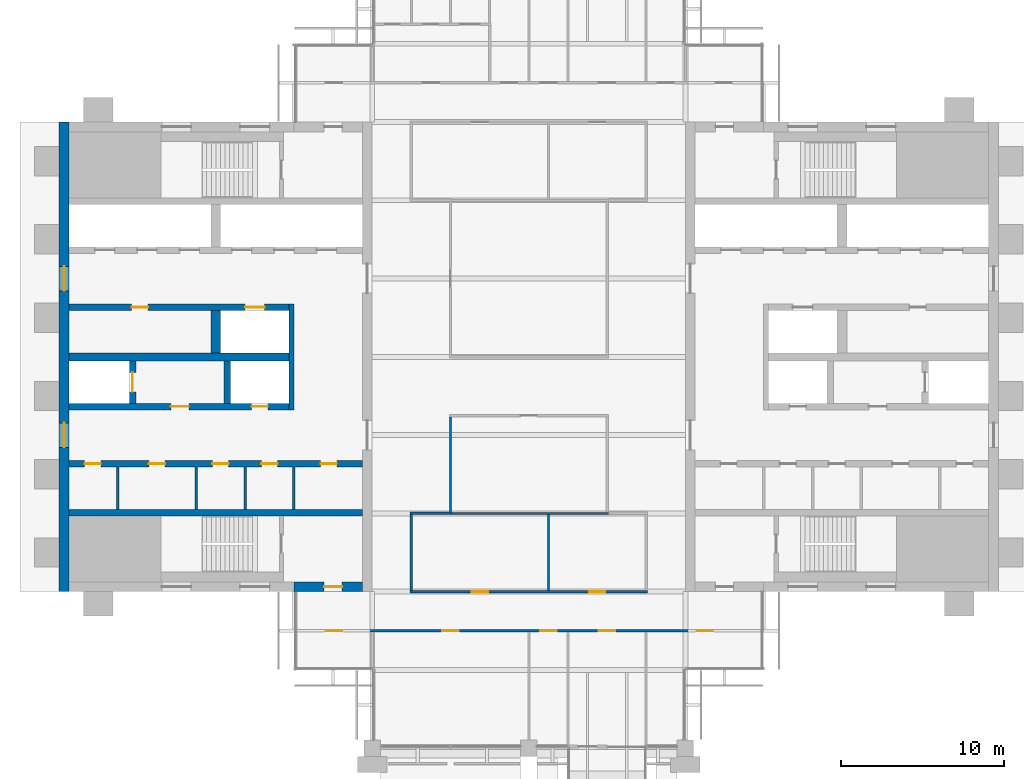
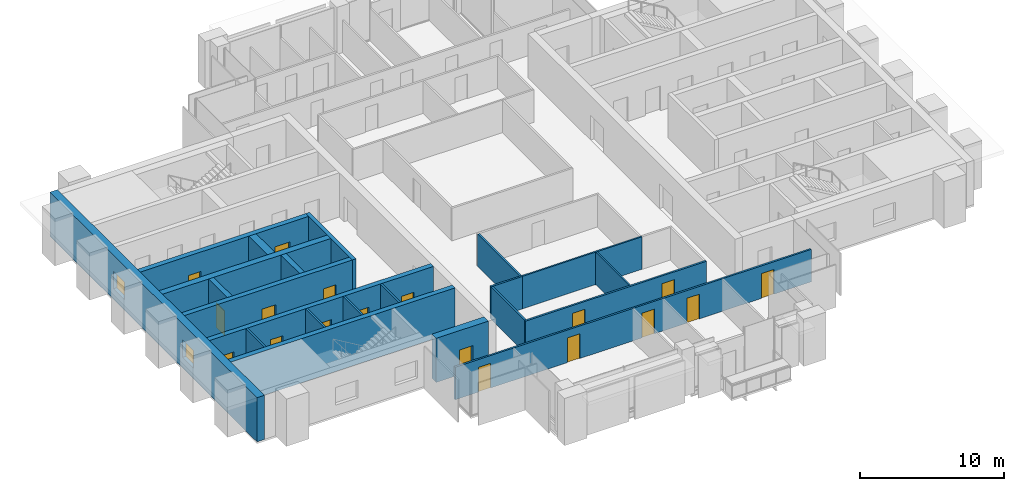
# One storey, part 8 of 13: 22 walls, 18 doors, 2 windows, 20 openings.
"""IFC4 building model written with IfcOpenShell, lengths in metres."""

from ifc_helpers import new_model, si_unit, direction, frame, frame_2d, origin, place, context, subcontext, project, spatial, rectangle, extrude, material, layer, layer_set, type_object, element, fill, save


model = new_model("IFC4")

# Units and contexts
model_context = context("Model", 3, precision=1e-05, world=origin(), true_north=direction((0.0, 1.0)))
body_context = subcontext(model_context, "Body", "Model", "MODEL_VIEW")
ifc_project = project(units=[si_unit("LENGTHUNIT", "METRE"), si_unit("AREAUNIT", "SQUARE_METRE"), si_unit("VOLUMEUNIT", "CUBIC_METRE"), si_unit("PLANEANGLEUNIT", "RADIAN"), si_unit("MASSUNIT", "GRAM", prefix="KILO")], contexts=[model_context])

# Site, building, storey
site_placement = place(None, origin())
site = spatial("IfcSite", under=ifc_project, at=site_placement, CompositionType="ELEMENT")
building_placement = place(site_placement, origin())
building = spatial("IfcBuilding", under=site, at=building_placement, Name="Baori Bourse Tower", CompositionType="ELEMENT")
storey_placement = place(building_placement, frame((0.0, 0.0, 350.300048828125)))
storey = spatial("IfcBuildingStorey", under=building, at=storey_placement, Name="L78", CompositionType="ELEMENT", Elevation=350.300048828125)

# Walls
ifc_material_1 = material(Name="Blockwork partition", Category="masonry")
ifc_layer_1 = layer(ifc_material_1, 0.14990234375)
ifc_layer_set_1 = layer_set([ifc_layer_1], Name="Core partition 150")
wall_type_1 = type_object("IfcWallType", Name="Core partition 150", PredefinedType="PARTITIONING", material=ifc_layer_set_1)
for number, where, z_axis, x_axis, name in (
    (1, (3.60009765625, 14.64990234375, 0.0), (0.0, 0.0, 1.0), (0.0, 1.0, 0.0), "Partition wall W09"),
    (2, (8.39990234375, 14.64990234375, 0.0), (0.0, 0.0, 1.0), (0.0, 1.0, 0.0), "Partition wall W10"),
    (3, (11.39990234375, 14.64990234375, 0.0), (0.0, 0.0, 1.0), (0.0, 1.0, 0.0), "Partition wall W11"),
    (4, (14.39990234375, 14.64990234375, 0.0), (0.0, 0.0, 1.0), (0.0, 1.0, 0.0), "Partition wall W12"),
):
    element("IfcWall", number, at=place(storey_placement, frame(where, z_axis=z_axis, x_axis=x_axis)), inside=storey, type_object=wall_type_1, Name=name, PredefinedType="PARTITIONING", context=body_context, shape_type="SweptSolid", body=[
        extrude(rectangle(XDim=2.60009765625, YDim=0.14990234375, at=frame_2d((1.300048828125, 0.0))), origin(), (0.0, 0.0, 1.0), 3.75),
    ])

# Wall, openings, windows
ifc_material_2 = material(Name="Concrete f'c 40 MPa", Category="concrete")
ifc_layer_2 = layer(ifc_material_2, 0.60009765625)
ifc_layer_set_2 = layer_set([ifc_layer_2], Name="Core wall 600 f'c 40")
wall_type_2 = type_object("IfcWallType", Name="Core wall 600 f'c 40", PredefinedType="SHEAR", material=ifc_layer_set_2)
wall_1_placement = place(storey_placement, frame((0.300048828125, 9.60009765625, 0.0), z_axis=(0.0, 0.0, 1.0), x_axis=(0.0, 1.0, 0.0)))
wall_1 = element("IfcWall", 5, at=wall_1_placement, inside=storey, type_object=wall_type_2, Name="Core wall W01", PredefinedType="SHEAR", context=body_context, shape_type="SweptSolid", body=[
    extrude(rectangle(XDim=28.7998046875, YDim=0.60009765625, at=frame_2d((14.39990234375, 0.0))), origin(), (0.0, 0.0, 1.0), 3.75),
])
opening_1_placement = place(wall_1_placement, frame((8.85009765625, 0.0, 0.89990234375)))
opening_1 = element("IfcOpeningElement", 6, at=opening_1_placement, cuts=wall_1, Name="Opening L78-KW101", PredefinedType="OPENING", context=body_context, shape_type="SweptSolid", body=[
    extrude(rectangle(XDim=1.5, YDim=1.5, at=frame_2d((0.75, 0.75))), frame((0.0, 0.31005859375, 0.0), z_axis=(0.0, -1.0, 0.0), x_axis=(1.0, 0.0, 0.0)), (0.0, 0.0, 1.0), 0.6201171875),
])
opening_2_placement = place(wall_1_placement, frame((18.449951171875, 0.0, 0.89990234375)))
opening_2 = element("IfcOpeningElement", 7, at=opening_2_placement, cuts=wall_1, Name="Opening L78-KW102", PredefinedType="OPENING", context=body_context, shape_type="SweptSolid", body=[
    extrude(rectangle(XDim=1.5, YDim=1.5, at=frame_2d((0.75, 0.75))), frame((0.0, 0.31005859375, 0.0), z_axis=(0.0, -1.0, 0.0), x_axis=(1.0, 0.0, 0.0)), (0.0, 0.0, 1.0), 0.6201171875),
])
ifc_material_3 = material(Name="Pale anodised aluminium", Category="aluminium")
window_type = type_object("IfcWindowType", Name="Lobby window 1500 x 1500", PartitioningType="SINGLE_PANEL", PredefinedType="WINDOW", material=ifc_material_3)
window_1_placement = place(opening_1_placement, origin())
window_1 = element("IfcWindow", 8, at=window_1_placement, inside=storey, type_object=window_type, Name="Outer wall window W L78 1", OverallHeight=1.5, OverallWidth=1.5, PartitioningType="SINGLE_PANEL", PredefinedType="WINDOW", context=body_context, shape_type="SweptSolid", body=[
    extrude(rectangle(XDim=1.5, YDim=1.5, at=frame_2d((0.75, 0.75))), frame((0.0, 0.030029296875, 0.0), z_axis=(0.0, -1.0, 0.0), x_axis=(1.0, 0.0, 0.0)), (0.0, 0.0, 1.0), 0.06005859375),
])
fill(opening_1, window_1)
window_2_placement = place(opening_2_placement, origin())
window_2 = element("IfcWindow", 9, at=window_2_placement, inside=storey, type_object=window_type, Name="Outer wall window W L78 2", OverallHeight=1.5, OverallWidth=1.5, PartitioningType="SINGLE_PANEL", PredefinedType="WINDOW", context=body_context, shape_type="SweptSolid", body=[
    extrude(rectangle(XDim=1.5, YDim=1.5, at=frame_2d((0.75, 0.75))), frame((0.0, 0.030029296875, 0.0), z_axis=(0.0, -1.0, 0.0), x_axis=(1.0, 0.0, 0.0)), (0.0, 0.0, 1.0), 0.06005859375),
])
fill(opening_2, window_2)

# Wall, opening, door
wall_2_placement = place(storey_placement, frame((18.60009765625, 9.89990234375, 0.0), z_axis=(0.0, 0.0, 1.0), x_axis=(-1.0, 0.0, 0.0)))
wall_2 = element("IfcWall", 10, at=wall_2_placement, inside=storey, type_object=wall_type_2, Name="Core wall W03", PredefinedType="SHEAR", context=body_context, shape_type="SweptSolid", body=[
    extrude(rectangle(XDim=4.2001953125, YDim=0.60009765625, at=frame_2d((2.10009765625, 0.0))), origin(), (0.0, 0.0, 1.0), 3.75),
])
opening_3_placement = place(wall_2_placement, frame((1.25, 0.0, 0.0)))
opening_3 = element("IfcOpeningElement", 11, at=opening_3_placement, cuts=wall_2, Name="Opening L78-D102", PredefinedType="OPENING", context=body_context, shape_type="SweptSolid", body=[
    extrude(rectangle(XDim=1.10009765625, YDim=2.10009765625, at=frame_2d((0.550048828125, 1.050048828125))), frame((0.0, 0.31005859375, 0.0), z_axis=(0.0, -1.0, 0.0), x_axis=(1.0, 0.0, 0.0)), (0.0, 0.0, 1.0), 0.6201171875),
])
ifc_material_4 = material(Name="Painted steel door", Category="steel")
door_type_1 = type_object("IfcDoorType", Name="Stair door 1100", OperationType="SINGLE_SWING_LEFT", PredefinedType="DOOR", material=ifc_material_4)
door_1_placement = place(opening_3_placement, origin())
door_1 = element("IfcDoor", 12, at=door_1_placement, inside=storey, type_object=door_type_1, Name="Stair vestibule door A W L78", OperationType="SINGLE_SWING_LEFT", OverallHeight=2.10009765625, OverallWidth=1.10009765625, PredefinedType="DOOR", context=body_context, shape_type="SweptSolid", body=[
    extrude(rectangle(XDim=1.10009765625, YDim=2.10009765625, at=frame_2d((0.550048828125, 1.050048828125))), frame((0.0, 0.02490234375, 0.0), z_axis=(0.0, -1.0, 0.0), x_axis=(1.0, 0.0, 0.0)), (0.0, 0.0, 1.0), 0.050048828125),
])
fill(opening_3, door_1)

# Wall, openings, doors
ifc_material_5 = material(Name="Gypsum board partition")
ifc_layer_3 = layer(ifc_material_5, 0.14990234375)
ifc_layer_set_3 = layer_set([ifc_layer_3], Name="Corridor partition 150")
wall_type_3 = type_object("IfcWallType", Name="Corridor partition 150", PredefinedType="PARTITIONING", material=ifc_layer_set_3)
wall_3_placement = place(storey_placement, frame((14.5, 7.199951171875, 0.0), z_axis=(0.0, 0.0, 1.0), x_axis=(1.0, 0.0, 0.0)))
wall_3 = element("IfcWall", 13, at=wall_3_placement, inside=storey, type_object=wall_type_3, Name="Partition", PredefinedType="PARTITIONING", context=body_context, shape_type="SweptSolid", body=[
    extrude(rectangle(XDim=28.60009765625, YDim=0.14990234375, at=frame_2d((14.300048828125, 0.0))), origin(), (0.0, 0.0, 1.0), 2.75927734375),
])
opening_4_placement = place(wall_3_placement, frame((1.85009765625, 0.0, 0.0)))
opening_4 = element("IfcOpeningElement", 14, at=opening_4_placement, cuts=wall_3, Name="Opening L78-D01", PredefinedType="OPENING", context=body_context, shape_type="SweptSolid", body=[
    extrude(rectangle(XDim=1.0, YDim=2.10009765625, at=frame_2d((0.5, 1.050048828125))), frame((0.0, 0.0849609375, 0.0), z_axis=(0.0, -1.0, 0.0), x_axis=(1.0, 0.0, 0.0)), (0.0, 0.0, 1.0), 0.169921875),
])
opening_5_placement = place(wall_3_placement, frame((9.0, 0.0, 0.0)))
opening_5 = element("IfcOpeningElement", 15, at=opening_5_placement, cuts=wall_3, Name="Opening L78-D02", PredefinedType="OPENING", context=body_context, shape_type="SweptSolid", body=[
    extrude(rectangle(XDim=1.0, YDim=2.10009765625, at=frame_2d((0.5, 1.050048828125))), frame((0.0, 0.0849609375, 0.0), z_axis=(0.0, -1.0, 0.0), x_axis=(1.0, 0.0, 0.0)), (0.0, 0.0, 1.0), 0.169921875),
])
opening_6_placement = place(wall_3_placement, frame((15.0, 0.0, 0.0)))
opening_6 = element("IfcOpeningElement", 16, at=opening_6_placement, cuts=wall_3, Name="Opening L78-D03", PredefinedType="OPENING", context=body_context, shape_type="SweptSolid", body=[
    extrude(rectangle(XDim=1.0, YDim=2.10009765625, at=frame_2d((0.5, 1.050048828125))), frame((0.0, 0.0849609375, 0.0), z_axis=(0.0, -1.0, 0.0), x_axis=(1.0, 0.0, 0.0)), (0.0, 0.0, 1.0), 0.169921875),
])
opening_7_placement = place(wall_3_placement, frame((18.60009765625, 0.0, 0.0)))
opening_7 = element("IfcOpeningElement", 17, at=opening_7_placement, cuts=wall_3, Name="Opening L78-D04", PredefinedType="OPENING", context=body_context, shape_type="SweptSolid", body=[
    extrude(rectangle(XDim=1.0, YDim=2.10009765625, at=frame_2d((0.5, 1.050048828125))), frame((0.0, 0.0849609375, 0.0), z_axis=(0.0, -1.0, 0.0), x_axis=(1.0, 0.0, 0.0)), (0.0, 0.0, 1.0), 0.169921875),
])
opening_8_placement = place(wall_3_placement, frame((24.60009765625, 0.0, 0.0)))
opening_8 = element("IfcOpeningElement", 18, at=opening_8_placement, cuts=wall_3, Name="Opening L78-D05", PredefinedType="OPENING", context=body_context, shape_type="SweptSolid", body=[
    extrude(rectangle(XDim=1.0, YDim=2.10009765625, at=frame_2d((0.5, 1.050048828125))), frame((0.0, 0.0849609375, 0.0), z_axis=(0.0, -1.0, 0.0), x_axis=(1.0, 0.0, 0.0)), (0.0, 0.0, 1.0), 0.169921875),
])
ifc_material_6 = material(Name="Timber door leaf", Category="wood")
door_type_2 = type_object("IfcDoorType", Name="Door 1000 x 2100", OperationType="SINGLE_SWING_LEFT", PredefinedType="DOOR", material=ifc_material_6)
door_2_placement = place(opening_4_placement, origin())
door_2 = element("IfcDoor", 19, at=door_2_placement, inside=storey, type_object=door_type_2, Name="Door", OperationType="SINGLE_SWING_LEFT", OverallHeight=2.10009765625, OverallWidth=1.0, PredefinedType="DOOR", context=body_context, shape_type="SweptSolid", body=[
    extrude(rectangle(XDim=1.0, YDim=2.10009765625, at=frame_2d((0.5, 1.050048828125))), frame((0.0, 0.02490234375, 0.0), z_axis=(0.0, -1.0, 0.0), x_axis=(1.0, 0.0, 0.0)), (0.0, 0.0, 1.0), 0.050048828125),
])
fill(opening_4, door_2)
door_3_placement = place(opening_5_placement, origin())
door_3 = element("IfcDoor", 20, at=door_3_placement, inside=storey, type_object=door_type_2, Name="Door", OperationType="SINGLE_SWING_LEFT", OverallHeight=2.10009765625, OverallWidth=1.0, PredefinedType="DOOR", context=body_context, shape_type="SweptSolid", body=[
    extrude(rectangle(XDim=1.0, YDim=2.10009765625, at=frame_2d((0.5, 1.050048828125))), frame((0.0, 0.02490234375, 0.0), z_axis=(0.0, -1.0, 0.0), x_axis=(1.0, 0.0, 0.0)), (0.0, 0.0, 1.0), 0.050048828125),
])
fill(opening_5, door_3)
door_4_placement = place(opening_6_placement, origin())
door_4 = element("IfcDoor", 21, at=door_4_placement, inside=storey, type_object=door_type_2, Name="Door", OperationType="SINGLE_SWING_RIGHT", OverallHeight=2.10009765625, OverallWidth=1.0, PredefinedType="DOOR", context=body_context, shape_type="SweptSolid", body=[
    extrude(rectangle(XDim=1.0, YDim=2.10009765625, at=frame_2d((0.5, 1.050048828125))), frame((0.0, 0.02490234375, 0.0), z_axis=(0.0, -1.0, 0.0), x_axis=(1.0, 0.0, 0.0)), (0.0, 0.0, 1.0), 0.050048828125),
])
fill(opening_6, door_4)
door_5_placement = place(opening_7_placement, origin())
door_5 = element("IfcDoor", 22, at=door_5_placement, inside=storey, type_object=door_type_2, Name="Door", OperationType="SINGLE_SWING_RIGHT", OverallHeight=2.10009765625, OverallWidth=1.0, PredefinedType="DOOR", context=body_context, shape_type="SweptSolid", body=[
    extrude(rectangle(XDim=1.0, YDim=2.10009765625, at=frame_2d((0.5, 1.050048828125))), frame((0.0, 0.02490234375, 0.0), z_axis=(0.0, -1.0, 0.0), x_axis=(1.0, 0.0, 0.0)), (0.0, 0.0, 1.0), 0.050048828125),
])
fill(opening_7, door_5)
door_6_placement = place(opening_8_placement, origin())
door_6 = element("IfcDoor", 23, at=door_6_placement, inside=storey, type_object=door_type_2, Name="Door", OperationType="SINGLE_SWING_RIGHT", OverallHeight=2.10009765625, OverallWidth=1.0, PredefinedType="DOOR", context=body_context, shape_type="SweptSolid", body=[
    extrude(rectangle(XDim=1.0, YDim=2.10009765625, at=frame_2d((0.5, 1.050048828125))), frame((0.0, 0.02490234375, 0.0), z_axis=(0.0, -1.0, 0.0), x_axis=(1.0, 0.0, 0.0)), (0.0, 0.0, 1.0), 0.050048828125),
])
fill(opening_8, door_6)

wall_4_placement = place(storey_placement, frame((21.52490234375, 9.60009765625, 0.0), z_axis=(0.0, 0.0, 1.0), x_axis=(1.0, 0.0, 0.0)))
wall_4 = element("IfcWall", 24, at=wall_4_placement, inside=storey, type_object=wall_type_3, Name="Partition", PredefinedType="PARTITIONING", context=body_context, shape_type="SweptSolid", body=[
    extrude(rectangle(XDim=14.550048828125, YDim=0.14990234375, at=frame_2d((7.27490234375, 0.0))), origin(), (0.0, 0.0, 1.0), 2.75927734375),
])
opening_9_placement = place(wall_4_placement, frame((3.77490234375, 0.0, 0.0)))
opening_9 = element("IfcOpeningElement", 25, at=opening_9_placement, cuts=wall_4, Name="Opening L78-D06", PredefinedType="OPENING", context=body_context, shape_type="SweptSolid", body=[
    extrude(rectangle(XDim=1.0, YDim=2.10009765625, at=frame_2d((0.5, 1.050048828125))), frame((0.0, 0.0849609375, 0.0), z_axis=(0.0, -1.0, 0.0), x_axis=(1.0, 0.0, 0.0)), (0.0, 0.0, 1.0), 0.169921875),
])
opening_10_placement = place(wall_4_placement, frame((10.97509765625, 0.0, 0.0)))
opening_10 = element("IfcOpeningElement", 26, at=opening_10_placement, cuts=wall_4, Name="Opening L78-D07", PredefinedType="OPENING", context=body_context, shape_type="SweptSolid", body=[
    extrude(rectangle(XDim=1.0, YDim=2.10009765625, at=frame_2d((0.5, 1.050048828125))), frame((0.0, 0.0849609375, 0.0), z_axis=(0.0, -1.0, 0.0), x_axis=(1.0, 0.0, 0.0)), (0.0, 0.0, 1.0), 0.169921875),
])
door_7_placement = place(opening_9_placement, origin())
door_7 = element("IfcDoor", 27, at=door_7_placement, inside=storey, type_object=door_type_2, Name="Door", OperationType="SINGLE_SWING_RIGHT", OverallHeight=2.10009765625, OverallWidth=1.0, PredefinedType="DOOR", context=body_context, shape_type="SweptSolid", body=[
    extrude(rectangle(XDim=1.0, YDim=2.10009765625, at=frame_2d((0.5, 1.050048828125))), frame((0.0, 0.02490234375, 0.0), z_axis=(0.0, -1.0, 0.0), x_axis=(1.0, 0.0, 0.0)), (0.0, 0.0, 1.0), 0.050048828125),
])
fill(opening_9, door_7)
door_8_placement = place(opening_10_placement, origin())
door_8 = element("IfcDoor", 28, at=door_8_placement, inside=storey, type_object=door_type_2, Name="Door", OperationType="SINGLE_SWING_LEFT", OverallHeight=2.10009765625, OverallWidth=1.0, PredefinedType="DOOR", context=body_context, shape_type="SweptSolid", body=[
    extrude(rectangle(XDim=1.0, YDim=2.10009765625, at=frame_2d((0.5, 1.050048828125))), frame((0.0, 0.02490234375, 0.0), z_axis=(0.0, -1.0, 0.0), x_axis=(1.0, 0.0, 0.0)), (0.0, 0.0, 1.0), 0.050048828125),
])
fill(opening_10, door_8)

# Walls
wall_5_placement = place(storey_placement, frame((21.52490234375, 14.39990234375, 0.0), z_axis=(0.0, 0.0, 1.0), x_axis=(1.0, 0.0, 0.0)))
element("IfcWall", 29, at=wall_5_placement, inside=storey, type_object=wall_type_3, Name="Partition", PredefinedType="PARTITIONING", context=body_context, shape_type="SweptSolid", body=[
    extrude(rectangle(XDim=2.550048828125, YDim=0.14990234375, at=frame_2d((1.27490234375, 0.0))), origin(), (0.0, 0.0, 1.0), 2.75927734375),
])
wall_6_placement = place(storey_placement, frame((21.60009765625, 9.675048828125, 0.0), z_axis=(0.0, 0.0, 1.0), x_axis=(0.0, 1.0, 0.0)))
element("IfcWall", 30, at=wall_6_placement, inside=storey, type_object=wall_type_3, Name="Partition", PredefinedType="PARTITIONING", context=body_context, shape_type="SweptSolid", body=[
    extrude(rectangle(XDim=4.64990234375, YDim=0.14990234375, at=frame_2d((2.324951171875, 0.0))), origin(), (0.0, 0.0, 1.0), 2.75927734375),
])
wall_7_placement = place(storey_placement, frame((24.0, 14.47509765625, 0.0), z_axis=(0.0, 0.0, 1.0), x_axis=(0.0, 1.0, 0.0)))
element("IfcWall", 31, at=wall_7_placement, inside=storey, type_object=wall_type_3, Name="Partition", PredefinedType="PARTITIONING", context=body_context, shape_type="SweptSolid", body=[
    extrude(rectangle(XDim=5.849853515625, YDim=0.14990234375, at=frame_2d((2.9248046875, 0.0))), origin(), (0.0, 0.0, 1.0), 2.75927734375),
])
ifc_material_7 = material(Name="Gypsum board partition")
ifc_layer_4 = layer(ifc_material_7, 0.125)
ifc_layer_set_4 = layer_set([ifc_layer_4], Name="Partition 125")
wall_type_4 = type_object("IfcWallType", Name="Partition 125", PredefinedType="PARTITIONING", material=ifc_layer_set_4)
wall_8_placement = place(storey_placement, frame((24.074951171875, 14.39990234375, 0.0), z_axis=(0.0, 0.0, 1.0), x_axis=(1.0, 0.0, 0.0)))
element("IfcWall", 32, at=wall_8_placement, inside=storey, type_object=wall_type_4, Name="Partition", PredefinedType="PARTITIONING", context=body_context, shape_type="SweptSolid", body=[
    extrude(rectangle(XDim=9.60009765625, YDim=0.125, at=frame_2d((4.800048828125, 0.0))), origin(), (0.0, 0.0, 1.0), 2.75927734375),
])
wall_9_placement = place(storey_placement, frame((30.0, 9.675048828125, 0.0), z_axis=(0.0, 0.0, 1.0), x_axis=(0.0, 1.0, 0.0)))
element("IfcWall", 33, at=wall_9_placement, inside=storey, type_object=wall_type_4, Name="Partition", PredefinedType="PARTITIONING", context=body_context, shape_type="SweptSolid", body=[
    extrude(rectangle(XDim=4.662353515625, YDim=0.125, at=frame_2d((2.3310546875, 0.0))), origin(), (0.0, 0.0, 1.0), 2.75927734375),
])
ifc_material_8 = material(Name="Concrete f'c 40 MPa", Category="concrete")
ifc_layer_5 = layer(ifc_material_8, 0.300048828125)
ifc_layer_set_5 = layer_set([ifc_layer_5], Name="Shaft wall 300 f'c 40")
wall_type_5 = type_object("IfcWallType", Name="Shaft wall 300 f'c 40", PredefinedType="SHEAR", material=ifc_layer_set_5)
wall_10_placement = place(storey_placement, frame((14.25, 20.75, 0.0), z_axis=(0.0, 0.0, 1.0), x_axis=(0.0, 1.0, 0.0)))
element("IfcWall", 34, at=wall_10_placement, inside=storey, type_object=wall_type_5, Name="Core wall W15", PredefinedType="SHEAR", context=body_context, shape_type="SweptSolid", body=[
    extrude(rectangle(XDim=6.5, YDim=0.300048828125, at=frame_2d((3.25, 0.0))), origin(), (0.0, 0.0, 1.0), 3.75),
])
ifc_material_9 = material(Name="Concrete f'c 40 MPa", Category="concrete")
ifc_layer_6 = layer(ifc_material_9, 0.39990234375)
ifc_layer_set_6 = layer_set([ifc_layer_6], Name="Shaft wall 400 f'c 40")
wall_type_6 = type_object("IfcWallType", Name="Shaft wall 400 f'c 40", PredefinedType="SHEAR", material=ifc_layer_set_6)
wall_11_placement = place(storey_placement, frame((0.60009765625, 14.449951171875, 0.0), z_axis=(0.0, 0.0, 1.0), x_axis=(1.0, 0.0, 0.0)))
element("IfcWall", 35, at=wall_11_placement, inside=storey, type_object=wall_type_6, Name="Core wall W08", PredefinedType="SHEAR", context=body_context, shape_type="SweptSolid", body=[
    extrude(rectangle(XDim=18.0, YDim=0.39990234375, at=frame_2d((9.0, 0.0))), origin(), (0.0, 0.0, 1.0), 3.75),
])

# Wall, openings, doors
wall_12_placement = place(storey_placement, frame((0.60009765625, 17.449951171875, 0.0), z_axis=(0.0, 0.0, 1.0), x_axis=(1.0, 0.0, 0.0)))
wall_12 = element("IfcWall", 36, at=wall_12_placement, inside=storey, type_object=wall_type_6, Name="Core wall W13", PredefinedType="SHEAR", context=body_context, shape_type="SweptSolid", body=[
    extrude(rectangle(XDim=18.0, YDim=0.39990234375, at=frame_2d((9.0, 0.0))), origin(), (0.0, 0.0, 1.0), 3.75),
])
opening_11_placement = place(wall_12_placement, frame((0.96240234375, 0.0, 0.0)))
opening_11 = element("IfcOpeningElement", 37, at=opening_11_placement, cuts=wall_12, Name="Opening L78-D109", PredefinedType="OPENING", context=body_context, shape_type="SweptSolid", body=[
    extrude(rectangle(XDim=1.0, YDim=2.10009765625, at=frame_2d((0.5, 1.050048828125))), frame((0.0, 0.2099609375, 0.0), z_axis=(0.0, -1.0, 0.0), x_axis=(1.0, 0.0, 0.0)), (0.0, 0.0, 1.0), 0.419921875),
])
opening_12_placement = place(wall_12_placement, frame((4.89990234375, 0.0, 0.0)))
opening_12 = element("IfcOpeningElement", 38, at=opening_12_placement, cuts=wall_12, Name="Opening L78-D110", PredefinedType="OPENING", context=body_context, shape_type="SweptSolid", body=[
    extrude(rectangle(XDim=1.0, YDim=2.10009765625, at=frame_2d((0.5, 1.050048828125))), frame((0.0, 0.2099609375, 0.0), z_axis=(0.0, -1.0, 0.0), x_axis=(1.0, 0.0, 0.0)), (0.0, 0.0, 1.0), 0.419921875),
])
opening_13_placement = place(wall_12_placement, frame((8.800048828125, 0.0, 0.0)))
opening_13 = element("IfcOpeningElement", 39, at=opening_13_placement, cuts=wall_12, Name="Opening L78-D111", PredefinedType="OPENING", context=body_context, shape_type="SweptSolid", body=[
    extrude(rectangle(XDim=1.0, YDim=2.10009765625, at=frame_2d((0.5, 1.050048828125))), frame((0.0, 0.2099609375, 0.0), z_axis=(0.0, -1.0, 0.0), x_axis=(1.0, 0.0, 0.0)), (0.0, 0.0, 1.0), 0.419921875),
])
opening_14_placement = place(wall_12_placement, frame((11.800048828125, 0.0, 0.0)))
opening_14 = element("IfcOpeningElement", 40, at=opening_14_placement, cuts=wall_12, Name="Opening L78-D112", PredefinedType="OPENING", context=body_context, shape_type="SweptSolid", body=[
    extrude(rectangle(XDim=1.0, YDim=2.10009765625, at=frame_2d((0.5, 1.050048828125))), frame((0.0, 0.2099609375, 0.0), z_axis=(0.0, -1.0, 0.0), x_axis=(1.0, 0.0, 0.0)), (0.0, 0.0, 1.0), 0.419921875),
])
opening_15_placement = place(wall_12_placement, frame((15.4375, 0.0, 0.0)))
opening_15 = element("IfcOpeningElement", 41, at=opening_15_placement, cuts=wall_12, Name="Opening L78-D113", PredefinedType="OPENING", context=body_context, shape_type="SweptSolid", body=[
    extrude(rectangle(XDim=1.0, YDim=2.10009765625, at=frame_2d((0.5, 1.050048828125))), frame((0.0, 0.2099609375, 0.0), z_axis=(0.0, -1.0, 0.0), x_axis=(1.0, 0.0, 0.0)), (0.0, 0.0, 1.0), 0.419921875),
])
ifc_material_10 = material(Name="Painted steel door", Category="steel")
door_type_3 = type_object("IfcDoorType", Name="Core door 1000", OperationType="SINGLE_SWING_LEFT", PredefinedType="DOOR", material=ifc_material_10)
door_9_placement = place(opening_11_placement, origin())
door_9 = element("IfcDoor", 42, at=door_9_placement, inside=storey, type_object=door_type_3, Name="Pantry door W L78", OperationType="SINGLE_SWING_LEFT", OverallHeight=2.10009765625, OverallWidth=1.0, PredefinedType="DOOR", context=body_context, shape_type="SweptSolid", body=[
    extrude(rectangle(XDim=1.0, YDim=2.10009765625, at=frame_2d((0.5, 1.050048828125))), frame((0.0, 0.02490234375, 0.0), z_axis=(0.0, -1.0, 0.0), x_axis=(1.0, 0.0, 0.0)), (0.0, 0.0, 1.0), 0.050048828125),
])
fill(opening_11, door_9)
door_10_placement = place(opening_12_placement, origin())
door_10 = element("IfcDoor", 43, at=door_10_placement, inside=storey, type_object=door_type_3, Name="Men'S Wc door W L78", OperationType="SINGLE_SWING_LEFT", OverallHeight=2.10009765625, OverallWidth=1.0, PredefinedType="DOOR", context=body_context, shape_type="SweptSolid", body=[
    extrude(rectangle(XDim=1.0, YDim=2.10009765625, at=frame_2d((0.5, 1.050048828125))), frame((0.0, 0.02490234375, 0.0), z_axis=(0.0, -1.0, 0.0), x_axis=(1.0, 0.0, 0.0)), (0.0, 0.0, 1.0), 0.050048828125),
])
fill(opening_12, door_10)
door_11_placement = place(opening_13_placement, origin())
door_11 = element("IfcDoor", 44, at=door_11_placement, inside=storey, type_object=door_type_3, Name="Accessible Wc door W L78", OperationType="SINGLE_SWING_LEFT", OverallHeight=2.10009765625, OverallWidth=1.0, PredefinedType="DOOR", context=body_context, shape_type="SweptSolid", body=[
    extrude(rectangle(XDim=1.0, YDim=2.10009765625, at=frame_2d((0.5, 1.050048828125))), frame((0.0, 0.02490234375, 0.0), z_axis=(0.0, -1.0, 0.0), x_axis=(1.0, 0.0, 0.0)), (0.0, 0.0, 1.0), 0.050048828125),
])
fill(opening_13, door_11)
door_12_placement = place(opening_14_placement, origin())
door_12 = element("IfcDoor", 45, at=door_12_placement, inside=storey, type_object=door_type_3, Name="Store Room door W L78", OperationType="SINGLE_SWING_LEFT", OverallHeight=2.10009765625, OverallWidth=1.0, PredefinedType="DOOR", context=body_context, shape_type="SweptSolid", body=[
    extrude(rectangle(XDim=1.0, YDim=2.10009765625, at=frame_2d((0.5, 1.050048828125))), frame((0.0, 0.02490234375, 0.0), z_axis=(0.0, -1.0, 0.0), x_axis=(1.0, 0.0, 0.0)), (0.0, 0.0, 1.0), 0.050048828125),
])
fill(opening_14, door_12)
door_13_placement = place(opening_15_placement, origin())
door_13 = element("IfcDoor", 46, at=door_13_placement, inside=storey, type_object=door_type_3, Name="Women'S Wc door W L78", OperationType="SINGLE_SWING_LEFT", OverallHeight=2.10009765625, OverallWidth=1.0, PredefinedType="DOOR", context=body_context, shape_type="SweptSolid", body=[
    extrude(rectangle(XDim=1.0, YDim=2.10009765625, at=frame_2d((0.5, 1.050048828125))), frame((0.0, 0.02490234375, 0.0), z_axis=(0.0, -1.0, 0.0), x_axis=(1.0, 0.0, 0.0)), (0.0, 0.0, 1.0), 0.050048828125),
])
fill(opening_15, door_13)

wall_13_placement = place(storey_placement, frame((0.60009765625, 20.949951171875, 0.0), z_axis=(0.0, 0.0, 1.0), x_axis=(1.0, 0.0, 0.0)))
wall_13 = element("IfcWall", 47, at=wall_13_placement, inside=storey, type_object=wall_type_6, Name="Core wall W14", PredefinedType="SHEAR", context=body_context, shape_type="SweptSolid", body=[
    extrude(rectangle(XDim=13.5, YDim=0.39990234375, at=frame_2d((6.75, 0.0))), origin(), (0.0, 0.0, 1.0), 3.75),
])
opening_16_placement = place(wall_13_placement, frame((6.25, 0.0, 0.0)))
opening_16 = element("IfcOpeningElement", 48, at=opening_16_placement, cuts=wall_13, Name="Opening L78-D105", PredefinedType="OPENING", context=body_context, shape_type="SweptSolid", body=[
    extrude(rectangle(XDim=1.10009765625, YDim=2.10009765625, at=frame_2d((0.550048828125, 1.050048828125))), frame((0.0, 0.2099609375, 0.0), z_axis=(0.0, -1.0, 0.0), x_axis=(1.0, 0.0, 0.0)), (0.0, 0.0, 1.0), 0.419921875),
])
opening_17_placement = place(wall_13_placement, frame((11.199951171875, 0.0, 0.0)))
opening_17 = element("IfcOpeningElement", 49, at=opening_17_placement, cuts=wall_13, Name="Opening L78-D106", PredefinedType="OPENING", context=body_context, shape_type="SweptSolid", body=[
    extrude(rectangle(XDim=1.0, YDim=2.10009765625, at=frame_2d((0.5, 1.050048828125))), frame((0.0, 0.2099609375, 0.0), z_axis=(0.0, -1.0, 0.0), x_axis=(1.0, 0.0, 0.0)), (0.0, 0.0, 1.0), 0.419921875),
])
ifc_material_11 = material(Name="Painted steel door", Category="steel")
door_type_4 = type_object("IfcDoorType", Name="Lobby door 1100", OperationType="SINGLE_SWING_LEFT", PredefinedType="DOOR", material=ifc_material_11)
door_14_placement = place(opening_16_placement, origin())
door_14 = element("IfcDoor", 50, at=door_14_placement, inside=storey, type_object=door_type_4, Name="Firefighting lobby door W L78", OperationType="SINGLE_SWING_LEFT", OverallHeight=2.10009765625, OverallWidth=1.10009765625, PredefinedType="DOOR", context=body_context, shape_type="SweptSolid", body=[
    extrude(rectangle(XDim=1.10009765625, YDim=2.10009765625, at=frame_2d((0.550048828125, 1.050048828125))), frame((0.0, 0.02490234375, 0.0), z_axis=(0.0, -1.0, 0.0), x_axis=(1.0, 0.0, 0.0)), (0.0, 0.0, 1.0), 0.050048828125),
])
fill(opening_16, door_14)
ifc_material_12 = material(Name="Painted steel door", Category="steel")
door_type_5 = type_object("IfcDoorType", Name="Shaft door 1000", OperationType="SINGLE_SWING_LEFT", PredefinedType="DOOR", material=ifc_material_12)
door_15_placement = place(opening_17_placement, origin())
door_15 = element("IfcDoor", 51, at=door_15_placement, inside=storey, type_object=door_type_5, Name="Riser room door W L78", OperationType="SINGLE_SWING_LEFT", OverallHeight=2.10009765625, OverallWidth=1.0, PredefinedType="DOOR", context=body_context, shape_type="SweptSolid", body=[
    extrude(rectangle(XDim=1.0, YDim=2.10009765625, at=frame_2d((0.5, 1.050048828125))), frame((0.0, 0.02490234375, 0.0), z_axis=(0.0, -1.0, 0.0), x_axis=(1.0, 0.0, 0.0)), (0.0, 0.0, 1.0), 0.050048828125),
])
fill(opening_17, door_15)

# Wall, opening, door
wall_14_placement = place(storey_placement, frame((4.5, 21.14990234375, 0.0), z_axis=(0.0, 0.0, 1.0), x_axis=(0.0, 1.0, 0.0)))
wall_14 = element("IfcWall", 52, at=wall_14_placement, inside=storey, type_object=wall_type_6, Name="Core wall W16", PredefinedType="SHEAR", context=body_context, shape_type="SweptSolid", body=[
    extrude(rectangle(XDim=2.60009765625, YDim=0.39990234375, at=frame_2d((1.300048828125, 0.0))), origin(), (0.0, 0.0, 1.0), 3.75),
])
opening_18_placement = place(wall_14_placement, frame((0.699951171875, 0.0, 0.0)))
opening_18 = element("IfcOpeningElement", 53, at=opening_18_placement, cuts=wall_14, Name="Opening L78-D122", PredefinedType="OPENING", context=body_context, shape_type="SweptSolid", body=[
    extrude(rectangle(XDim=1.199951171875, YDim=2.10009765625, at=frame_2d((0.60009765625, 1.050048828125))), frame((0.0, 0.2099609375, 0.0), z_axis=(0.0, -1.0, 0.0), x_axis=(1.0, 0.0, 0.0)), (0.0, 0.0, 1.0), 0.419921875),
])
ifc_material_13 = material(Name="Stainless steel door", Category="steel")
door_type_6 = type_object("IfcDoorType", Name="Lift landing door", OperationType="DOUBLE_DOOR_SLIDING", PredefinedType="DOOR", material=ifc_material_13)
door_16_placement = place(opening_18_placement, origin())
door_16 = element("IfcDoor", 54, at=door_16_placement, inside=storey, type_object=door_type_6, Name="Lift landing door FF1 W L78", OperationType="DOUBLE_DOOR_SLIDING", OverallHeight=2.10009765625, OverallWidth=1.199951171875, PredefinedType="DOOR", context=body_context, shape_type="SweptSolid", body=[
    extrude(rectangle(XDim=1.199951171875, YDim=2.10009765625, at=frame_2d((0.60009765625, 1.050048828125))), frame((0.0, 0.02490234375, 0.0), z_axis=(0.0, -1.0, 0.0), x_axis=(1.0, 0.0, 0.0)), (0.0, 0.0, 1.0), 0.050048828125),
])
fill(opening_18, door_16)

# Wall
wall_15_placement = place(storey_placement, frame((10.300048828125, 21.14990234375, 0.0), z_axis=(0.0, 0.0, 1.0), x_axis=(0.0, 1.0, 0.0)))
element("IfcWall", 55, at=wall_15_placement, inside=storey, type_object=wall_type_6, Name="Core wall W17", PredefinedType="SHEAR", context=body_context, shape_type="SweptSolid", body=[
    extrude(rectangle(XDim=2.60009765625, YDim=0.39990234375, at=frame_2d((1.300048828125, 0.0))), origin(), (0.0, 0.0, 1.0), 3.75),
])

# Wall, openings, doors
wall_16_placement = place(storey_placement, frame((0.60009765625, 27.050048828125, 0.0), z_axis=(0.0, 0.0, 1.0), x_axis=(1.0, 0.0, 0.0)))
wall_16 = element("IfcWall", 56, at=wall_16_placement, inside=storey, type_object=wall_type_6, Name="Core wall W20", PredefinedType="SHEAR", context=body_context, shape_type="SweptSolid", body=[
    extrude(rectangle(XDim=13.5, YDim=0.39990234375, at=frame_2d((6.75, 0.0))), origin(), (0.0, 0.0, 1.0), 3.75),
])
opening_19_placement = place(wall_16_placement, frame((3.85009765625, 0.0, 0.0)))
opening_19 = element("IfcOpeningElement", 57, at=opening_19_placement, cuts=wall_16, Name="Opening L78-D114", PredefinedType="OPENING", context=body_context, shape_type="SweptSolid", body=[
    extrude(rectangle(XDim=1.0, YDim=2.10009765625, at=frame_2d((0.5, 1.050048828125))), frame((0.0, 0.2099609375, 0.0), z_axis=(0.0, -1.0, 0.0), x_axis=(1.0, 0.0, 0.0)), (0.0, 0.0, 1.0), 0.419921875),
])
opening_20_placement = place(wall_16_placement, frame((10.800048828125, 0.0, 0.0)))
opening_20 = element("IfcOpeningElement", 58, at=opening_20_placement, cuts=wall_16, Name="Opening L78-D121", PredefinedType="OPENING", context=body_context, shape_type="SweptSolid", body=[
    extrude(rectangle(XDim=1.199951171875, YDim=2.10009765625, at=frame_2d((0.60009765625, 1.050048828125))), frame((0.0, 0.2099609375, 0.0), z_axis=(0.0, -1.0, 0.0), x_axis=(1.0, 0.0, 0.0)), (0.0, 0.0, 1.0), 0.419921875),
])
door_17_placement = place(opening_19_placement, origin())
door_17 = element("IfcDoor", 59, at=door_17_placement, inside=storey, type_object=door_type_3, Name="Pantry door W L78", OperationType="SINGLE_SWING_LEFT", OverallHeight=2.10009765625, OverallWidth=1.0, PredefinedType="DOOR", context=body_context, shape_type="SweptSolid", body=[
    extrude(rectangle(XDim=1.0, YDim=2.10009765625, at=frame_2d((0.5, 1.050048828125))), frame((0.0, 0.02490234375, 0.0), z_axis=(0.0, -1.0, 0.0), x_axis=(1.0, 0.0, 0.0)), (0.0, 0.0, 1.0), 0.050048828125),
])
fill(opening_19, door_17)
door_18_placement = place(opening_20_placement, origin())
door_18 = element("IfcDoor", 60, at=door_18_placement, inside=storey, type_object=door_type_6, Name="Lift landing door SV1 W L78", OperationType="DOUBLE_DOOR_SLIDING", OverallHeight=2.10009765625, OverallWidth=1.199951171875, PredefinedType="DOOR", context=body_context, shape_type="SweptSolid", body=[
    extrude(rectangle(XDim=1.199951171875, YDim=2.10009765625, at=frame_2d((0.60009765625, 1.050048828125))), frame((0.0, 0.02490234375, 0.0), z_axis=(0.0, -1.0, 0.0), x_axis=(1.0, 0.0, 0.0)), (0.0, 0.0, 1.0), 0.050048828125),
])
fill(opening_20, door_18)

# Walls
ifc_material_14 = material(Name="Concrete f'c 40 MPa", Category="concrete")
ifc_layer_7 = layer(ifc_material_14, 0.5)
ifc_layer_set_7 = layer_set([ifc_layer_7], Name="Shaft wall 500 f'c 40")
wall_type_7 = type_object("IfcWallType", Name="Shaft wall 500 f'c 40", PredefinedType="SHEAR", material=ifc_layer_set_7)
wall_17_placement = place(storey_placement, frame((0.60009765625, 24.0, 0.0), z_axis=(0.0, 0.0, 1.0), x_axis=(1.0, 0.0, 0.0)))
element("IfcWall", 61, at=wall_17_placement, inside=storey, type_object=wall_type_7, Name="Core wall W18", PredefinedType="SHEAR", context=body_context, shape_type="SweptSolid", body=[
    extrude(rectangle(XDim=13.5, YDim=0.5, at=frame_2d((6.75, 0.0))), origin(), (0.0, 0.0, 1.0), 3.75),
])
ifc_material_15 = material(Name="Concrete f'c 40 MPa", Category="concrete")
ifc_layer_8 = layer(ifc_material_15, 0.60009765625)
ifc_layer_set_8 = layer_set([ifc_layer_8], Name="Shaft wall 600 f'c 40")
wall_type_8 = type_object("IfcWallType", Name="Shaft wall 600 f'c 40", PredefinedType="SHEAR", material=ifc_layer_set_8)
wall_18_placement = place(storey_placement, frame((9.60009765625, 24.25, 0.0), z_axis=(0.0, 0.0, 1.0), x_axis=(0.0, 1.0, 0.0)))
element("IfcWall", 62, at=wall_18_placement, inside=storey, type_object=wall_type_8, Name="Core wall W19", PredefinedType="SHEAR", context=body_context, shape_type="SweptSolid", body=[
    extrude(rectangle(XDim=2.60009765625, YDim=0.60009765625, at=frame_2d((1.300048828125, 0.0))), origin(), (0.0, 0.0, 1.0), 3.75),
])

save(model, "model.ifc")
